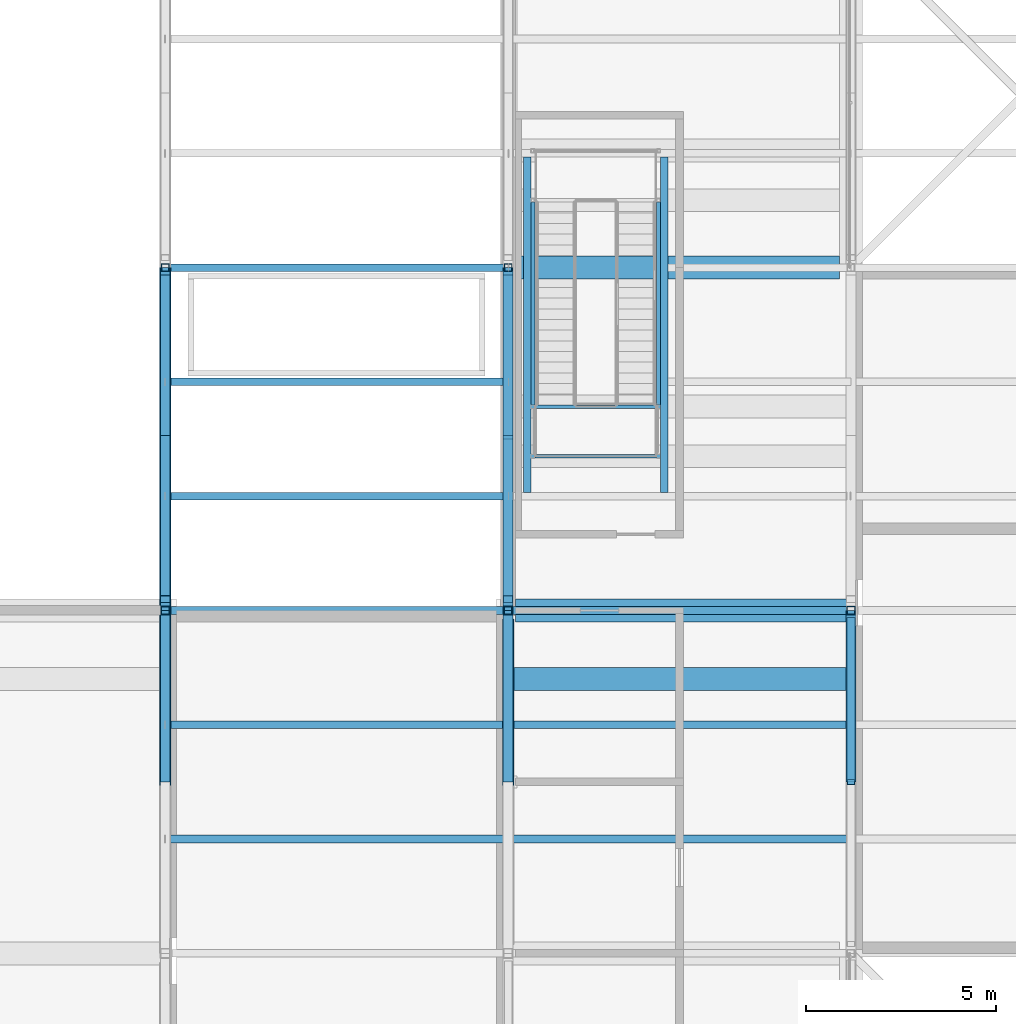
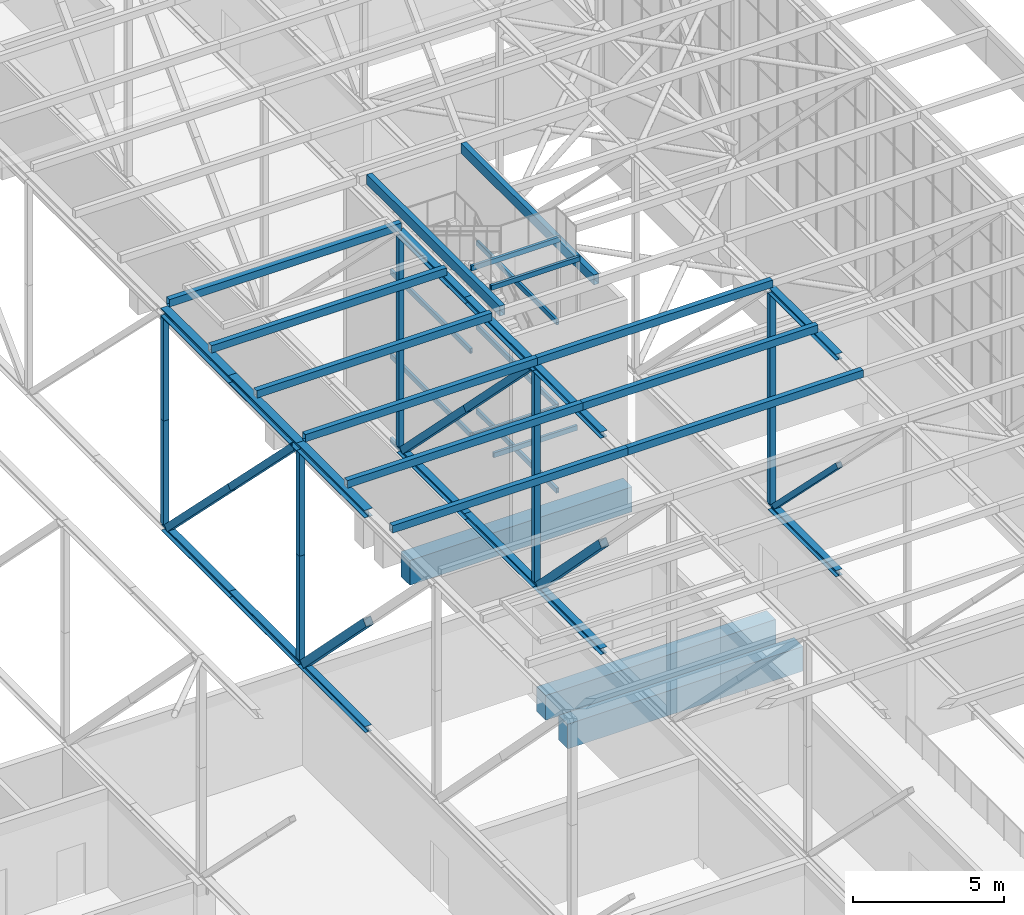
# One storey, part 94 of 646: 42 members, 13 beams.
"""IFC4 building model written with IfcOpenShell, lengths in metres."""

from ifc_helpers import new_model, si_unit, direction, frame, origin, origin_2d, place, context, subcontext, project, spatial, rectangle, hollow_rectangle, i_section, extrude, material, material_profile, profile_set, type_object, element, save


model = new_model("IFC4")

# Units and contexts
model_context = context("Model", 3, precision=1e-05, world=origin(), true_north=direction((0.0, 1.0)))
body_context = subcontext(model_context, "Body", "Model", "MODEL_VIEW")
ifc_project = project(units=[si_unit("LENGTHUNIT", "METRE"), si_unit("AREAUNIT", "SQUARE_METRE"), si_unit("VOLUMEUNIT", "CUBIC_METRE"), si_unit("PLANEANGLEUNIT", "RADIAN"), si_unit("MASSUNIT", "GRAM", prefix="KILO")], contexts=[model_context])

# Site, building, storey
site_placement = place(None, origin())
site = spatial("IfcSite", under=ifc_project, at=site_placement, CompositionType="ELEMENT")
building_placement = place(site_placement, origin())
building = spatial("IfcBuilding", under=site, at=building_placement, Name="Silverbay Arena", CompositionType="ELEMENT")
storey_placement = place(building_placement, frame((0.0, 0.0, 33.5)))
storey = spatial("IfcBuildingStorey", under=building, at=storey_placement, Name="L05", CompositionType="ELEMENT", Elevation=33.5)

# Members
ifc_material_1 = material(Name="Steel S355", Category="steel")
ifc_material_profile_1 = material_profile(ifc_material_1, i_section(OverallWidth=0.2587890625, OverallDepth=0.2666015625, WebThickness=0.0126953125, FlangeThickness=0.0205078125, at=origin_2d()), Name="UC 254x254x107")
ifc_profile_set_1 = profile_set([ifc_material_profile_1], Name="Steel S355")
member_type_1 = type_object("IfcMemberType", Name="Long-span bottom chord UC 254x254x107", PredefinedType="CHORD", material=ifc_profile_set_1)
for number, where, z_axis, x_axis, name in (
    (1, (180.0, 63.0, 4.13330078125), (0.0, 1.0, 0.0), (-1.0, 0.0, 0.0), "ROOF TRUSS 21 bottom chord 07a"),
    (2, (180.0, 67.5, 4.13330078125), (0.0, 1.0, 0.0), (-1.0, 0.0, 0.0), "ROOF TRUSS 21 bottom chord 07b"),
):
    element("IfcMember", number, at=place(storey_placement, frame(where, z_axis=z_axis, x_axis=x_axis)), inside=storey, type_object=member_type_1, Name=name, PredefinedType="CHORD", context=body_context, shape_type="SweptSolid", body=[
        extrude(i_section(OverallWidth=0.2587890625, OverallDepth=0.2666015625, WebThickness=0.0126953125, FlangeThickness=0.0205078125, at=origin_2d()), origin(), (0.0, 0.0, 1.0), 4.5),
    ])
ifc_material_2 = material(Name="Steel S355", Category="steel")
ifc_material_profile_2 = material_profile(ifc_material_2, i_section(OverallWidth=0.254638671875, OverallDepth=0.254150390625, WebThickness=0.008544921875, FlangeThickness=0.01416015625, at=origin_2d()), Name="UC 254x254x73")
ifc_profile_set_2 = profile_set([ifc_material_profile_2], Name="Steel S355")
member_type_2 = type_object("IfcMemberType", Name="Long-span bottom chord UC 254x254x73", PredefinedType="CHORD", material=ifc_profile_set_2)
member_1_placement = place(storey_placement, frame((180.0, 58.5, 4.126953125), z_axis=(0.0, 1.0, 0.0), x_axis=(-1.0, 0.0, 0.0)))
element("IfcMember", 3, at=member_1_placement, inside=storey, type_object=member_type_2, Name="ROOF TRUSS 21 bottom chord 06b", PredefinedType="CHORD", context=body_context, shape_type="SweptSolid", body=[
    extrude(i_section(OverallWidth=0.254638671875, OverallDepth=0.254150390625, WebThickness=0.008544921875, FlangeThickness=0.01416015625, at=origin_2d()), origin(), (0.0, 0.0, 1.0), 4.5),
])
ifc_material_3 = material(Name="Steel S355", Category="steel")
ifc_material_profile_3 = material_profile(ifc_material_3, i_section(OverallWidth=0.307373046875, OverallDepth=0.314453125, WebThickness=0.011962890625, FlangeThickness=0.018798828125, at=origin_2d()), Name="UC 305x305x118")
ifc_profile_set_3 = profile_set([ifc_material_profile_3], Name="Steel S355")
member_type_3 = type_object("IfcMemberType", Name="Long-span top chord UC 305x305x118", PredefinedType="CHORD", material=ifc_profile_set_3)
member_2_placement = place(storey_placement, frame((180.0, 58.5, 12.8427734375), z_axis=(0.0, 1.0, 0.0), x_axis=(-1.0, 0.0, 0.0)))
element("IfcMember", 4, at=member_2_placement, inside=storey, type_object=member_type_3, Name="ROOF TRUSS 21 top chord 06b", PredefinedType="CHORD", context=body_context, shape_type="SweptSolid", body=[
    extrude(i_section(OverallWidth=0.307373046875, OverallDepth=0.314453125, WebThickness=0.011962890625, FlangeThickness=0.018798828125, at=origin_2d()), origin(), (0.0, 0.0, 1.0), 4.5),
])
ifc_material_4 = material(Name="Steel S355", Category="steel")
ifc_material_profile_4 = material_profile(ifc_material_4, i_section(OverallWidth=0.311279296875, OverallDepth=0.3271484375, WebThickness=0.015869140625, FlangeThickness=0.02490234375, at=origin_2d()), Name="UC 305x305x158")
ifc_profile_set_4 = profile_set([ifc_material_profile_4], Name="Steel S355")
member_type_4 = type_object("IfcMemberType", Name="Long-span top chord UC 305x305x158", PredefinedType="CHORD", material=ifc_profile_set_4)
for number, where, z_axis, x_axis, name in (
    (5, (180.0, 63.0, 12.83642578125), (0.0, 1.0, 0.0), (-1.0, 0.0, 0.0), "ROOF TRUSS 21 top chord 07a"),
    (6, (180.0, 67.5, 12.83642578125), (0.0, 1.0, 0.0), (-1.0, 0.0, 0.0), "ROOF TRUSS 21 top chord 07b"),
):
    element("IfcMember", number, at=place(storey_placement, frame(where, z_axis=z_axis, x_axis=x_axis)), inside=storey, type_object=member_type_4, Name=name, PredefinedType="CHORD", context=body_context, shape_type="SweptSolid", body=[
        extrude(i_section(OverallWidth=0.311279296875, OverallDepth=0.3271484375, WebThickness=0.015869140625, FlangeThickness=0.02490234375, at=origin_2d()), origin(), (0.0, 0.0, 1.0), 4.5),
    ])
ifc_material_5 = material(Name="Steel S355", Category="steel")
ifc_material_profile_5 = material_profile(ifc_material_5, hollow_rectangle(XDim=0.260009765625, YDim=0.260009765625, WallThickness=0.010009765625, at=origin_2d()), Name="SHS 260x260x10")
ifc_profile_set_5 = profile_set([ifc_material_profile_5], Name="Steel S355")
member_type_5 = type_object("IfcMemberType", Name="Long-span truss diagonal SHS 260x260x10", PredefinedType="BRACE", material=ifc_profile_set_5)
for number, where, z_axis, x_axis, name in (
    (7, (180.0, 63.300537109375, 12.6728515625), (0.0, 0.707209440454, -0.707004107012), (-1.0, 0.0, 0.0), "ROOF TRUSS 21 diagonal 07a"),
    (8, (180.0, 67.5048828125, 8.4697265625), (0.0, 0.707229966942, -0.706983573967), (-1.0, 0.0, 0.0), "ROOF TRUSS 21 diagonal 07b"),
):
    element("IfcMember", number, at=place(storey_placement, frame(where, z_axis=z_axis, x_axis=x_axis)), inside=storey, type_object=member_type_5, Name=name, PredefinedType="BRACE", context=body_context, shape_type="SweptSolid", body=[
        extrude(hollow_rectangle(XDim=0.260009765625, YDim=0.260009765625, WallThickness=0.010009765625, at=origin_2d()), origin(), (0.0, 0.0, 1.0), 5.945068359375),
    ])
ifc_material_6 = material(Name="Steel S355", Category="steel")
ifc_material_profile_6 = material_profile(ifc_material_6, hollow_rectangle(XDim=0.300048828125, YDim=0.300048828125, WallThickness=0.012451171875, at=origin_2d()), Name="SHS 300x300x12.5")
ifc_profile_set_6 = profile_set([ifc_material_profile_6], Name="Steel S355")
member_type_6 = type_object("IfcMemberType", Name="Long-span truss diagonal SHS 300x300x12.5", PredefinedType="BRACE", material=ifc_profile_set_6)
member_3_placement = place(storey_placement, frame((180.0, 58.507568359375, 8.4697265625), z_axis=(0.0, 0.702663144444, -0.711522666849), x_axis=(-1.0, 0.0, 0.0)))
element("IfcMember", 9, at=member_3_placement, inside=storey, type_object=member_type_6, Name="ROOF TRUSS 21 diagonal 06b", PredefinedType="BRACE", context=body_context, shape_type="SweptSolid", body=[
    extrude(hollow_rectangle(XDim=0.300048828125, YDim=0.300048828125, WallThickness=0.012451171875, at=origin_2d()), origin(), (0.0, 0.0, 1.0), 5.9248046875),
])
ifc_material_7 = material(Name="Steel S355", Category="steel")
ifc_material_profile_7 = material_profile(ifc_material_7, hollow_rectangle(XDim=0.199951171875, YDim=0.199951171875, WallThickness=0.008056640625, at=origin_2d()), Name="SHS 200x200x8")
ifc_profile_set_7 = profile_set([ifc_material_profile_7], Name="Steel S355")
member_type_7 = type_object("IfcMemberType", Name="Long-span truss vertical SHS 200x200x8", PredefinedType="STRUT", material=ifc_profile_set_7)
for number, where, z_axis, x_axis, name in (
    (10, (180.0, 72.0, 4.2666015625), (0.0, 0.0, 1.0), (1.0, 0.0, 0.0), "ROOF TRUSS 21 vertical 08a"),
    (11, (180.0, 72.0, 8.4697265625), (0.0, 0.0, 1.0), (1.0, 0.0, 0.0), "ROOF TRUSS 21 vertical 08b"),
):
    element("IfcMember", number, at=place(storey_placement, frame(where, z_axis=z_axis, x_axis=x_axis)), inside=storey, type_object=member_type_7, Name=name, PredefinedType="STRUT", context=body_context, shape_type="SweptSolid", body=[
        extrude(hollow_rectangle(XDim=0.199951171875, YDim=0.199951171875, WallThickness=0.008056640625, at=origin_2d()), origin(), (0.0, 0.0, 1.0), 4.203125),
    ])
ifc_material_8 = material(Name="Steel S355", Category="steel")
ifc_material_profile_8 = material_profile(ifc_material_8, hollow_rectangle(XDim=0.219970703125, YDim=0.219970703125, WallThickness=0.008056640625, at=origin_2d()), Name="SHS 220x220x8")
ifc_profile_set_8 = profile_set([ifc_material_profile_8], Name="Steel S355")
member_type_8 = type_object("IfcMemberType", Name="Long-span truss vertical SHS 220x220x8", PredefinedType="STRUT", material=ifc_profile_set_8)
for number, where, z_axis, x_axis, name in (
    (12, (180.0, 63.0, 4.2666015625), (0.0, 0.0, 1.0), (1.0, 0.0, 0.0), "ROOF TRUSS 21 vertical 07a"),
    (13, (180.0, 63.0, 8.4697265625), (0.0, 0.0, 1.0), (1.0, 0.0, 0.0), "ROOF TRUSS 21 vertical 07b"),
):
    element("IfcMember", number, at=place(storey_placement, frame(where, z_axis=z_axis, x_axis=x_axis)), inside=storey, type_object=member_type_8, Name=name, PredefinedType="STRUT", context=body_context, shape_type="SweptSolid", body=[
        extrude(hollow_rectangle(XDim=0.219970703125, YDim=0.219970703125, WallThickness=0.008056640625, at=origin_2d()), origin(), (0.0, 0.0, 1.0), 4.203125),
    ])
ifc_material_9 = material(Name="Steel S355", Category="steel")
ifc_material_profile_9 = material_profile(ifc_material_9, i_section(OverallWidth=0.254638671875, OverallDepth=0.254150390625, WebThickness=0.008544921875, FlangeThickness=0.01416015625, at=origin_2d()), Name="UC 254x254x73")
ifc_profile_set_9 = profile_set([ifc_material_profile_9], Name="Steel S355")
member_type_9 = type_object("IfcMemberType", Name="Medium-span bottom chord UC 254x254x73", PredefinedType="CHORD", material=ifc_profile_set_9)
for number, where, z_axis, x_axis, name in (
    (14, (189.0, 58.5, 4.126953125), (0.0, 1.0, 0.0), (-1.0, 0.0, 0.0), "ROOF TRUSS 22 bottom chord 06b"),
    (15, (189.0, 63.0, 4.126953125), (0.0, 1.0, 0.0), (-1.0, 0.0, 0.0), "ROOF TRUSS 22 bottom chord 07a"),
    (16, (189.0, 67.5, 4.126953125), (0.0, 1.0, 0.0), (-1.0, 0.0, 0.0), "ROOF TRUSS 22 bottom chord 07b"),
):
    element("IfcMember", number, at=place(storey_placement, frame(where, z_axis=z_axis, x_axis=x_axis)), inside=storey, type_object=member_type_9, Name=name, PredefinedType="CHORD", context=body_context, shape_type="SweptSolid", body=[
        extrude(i_section(OverallWidth=0.254638671875, OverallDepth=0.254150390625, WebThickness=0.008544921875, FlangeThickness=0.01416015625, at=origin_2d()), origin(), (0.0, 0.0, 1.0), 4.5),
    ])
ifc_material_10 = material(Name="Steel S355", Category="steel")
ifc_material_profile_10 = material_profile(ifc_material_10, i_section(OverallWidth=0.2587890625, OverallDepth=0.2666015625, WebThickness=0.0126953125, FlangeThickness=0.0205078125, at=origin_2d()), Name="UC 254x254x107")
ifc_profile_set_10 = profile_set([ifc_material_profile_10], Name="Steel S355")
member_type_10 = type_object("IfcMemberType", Name="Medium-span top chord UC 254x254x107", PredefinedType="CHORD", material=ifc_profile_set_10)
for number, where, z_axis, x_axis, name in (
    (17, (189.0, 63.0, 12.86669921875), (0.0, 1.0, 0.0), (-1.0, 0.0, 0.0), "ROOF TRUSS 22 top chord 07a"),
    (18, (189.0, 67.5, 12.86669921875), (0.0, 1.0, 0.0), (-1.0, 0.0, 0.0), "ROOF TRUSS 22 top chord 07b"),
):
    element("IfcMember", number, at=place(storey_placement, frame(where, z_axis=z_axis, x_axis=x_axis)), inside=storey, type_object=member_type_10, Name=name, PredefinedType="CHORD", context=body_context, shape_type="SweptSolid", body=[
        extrude(i_section(OverallWidth=0.2587890625, OverallDepth=0.2666015625, WebThickness=0.0126953125, FlangeThickness=0.0205078125, at=origin_2d()), origin(), (0.0, 0.0, 1.0), 4.5),
    ])
ifc_material_11 = material(Name="Steel S355", Category="steel")
ifc_material_profile_11 = material_profile(ifc_material_11, i_section(OverallWidth=0.254638671875, OverallDepth=0.254150390625, WebThickness=0.008544921875, FlangeThickness=0.01416015625, at=origin_2d()), Name="UC 254x254x73")
ifc_profile_set_11 = profile_set([ifc_material_profile_11], Name="Steel S355")
member_type_11 = type_object("IfcMemberType", Name="Medium-span top chord UC 254x254x73", PredefinedType="CHORD", material=ifc_profile_set_11)
member_4_placement = place(storey_placement, frame((189.0, 58.5, 12.873046875), z_axis=(0.0, 1.0, 0.0), x_axis=(-1.0, 0.0, 0.0)))
element("IfcMember", 19, at=member_4_placement, inside=storey, type_object=member_type_11, Name="ROOF TRUSS 22 top chord 06b", PredefinedType="CHORD", context=body_context, shape_type="SweptSolid", body=[
    extrude(i_section(OverallWidth=0.254638671875, OverallDepth=0.254150390625, WebThickness=0.008544921875, FlangeThickness=0.01416015625, at=origin_2d()), origin(), (0.0, 0.0, 1.0), 4.5),
])
ifc_material_12 = material(Name="Steel S355", Category="steel")
ifc_material_profile_12 = material_profile(ifc_material_12, hollow_rectangle(XDim=0.260009765625, YDim=0.260009765625, WallThickness=0.010009765625, at=origin_2d()), Name="SHS 260x260x10")
ifc_profile_set_12 = profile_set([ifc_material_profile_12], Name="Steel S355")
member_type_12 = type_object("IfcMemberType", Name="Medium-span truss diagonal SHS 260x260x10", PredefinedType="BRACE", material=ifc_profile_set_12)
for number, where, z_axis, x_axis, name in (
    (20, (189.0, 63.299560546875, 12.7333984375), (0.0, 0.704218618707, -0.709983194918), (-1.0, 0.0, 0.0), "ROOF TRUSS 22 diagonal 07a"),
    (21, (189.0, 67.5048828125, 8.49365234375), (0.0, 0.704259667026, -0.709942477529), (-1.0, 0.0, 0.0), "ROOF TRUSS 22 diagonal 07b"),
):
    element("IfcMember", number, at=place(storey_placement, frame(where, z_axis=z_axis, x_axis=x_axis)), inside=storey, type_object=member_type_12, Name=name, PredefinedType="BRACE", context=body_context, shape_type="SweptSolid", body=[
        extrude(hollow_rectangle(XDim=0.260009765625, YDim=0.260009765625, WallThickness=0.010009765625, at=origin_2d()), origin(), (0.0, 0.0, 1.0), 5.9716796875),
    ])
ifc_material_13 = material(Name="Steel S355", Category="steel")
ifc_material_profile_13 = material_profile(ifc_material_13, hollow_rectangle(XDim=0.300048828125, YDim=0.300048828125, WallThickness=0.012451171875, at=origin_2d()), Name="SHS 300x300x12.5")
ifc_profile_set_13 = profile_set([ifc_material_profile_13], Name="Steel S355")
member_type_13 = type_object("IfcMemberType", Name="Medium-span truss diagonal SHS 300x300x12.5", PredefinedType="BRACE", material=ifc_profile_set_13)
member_5_placement = place(storey_placement, frame((189.0, 58.507568359375, 8.5), z_axis=(0.0, 0.700176070598, -0.713970216579), x_axis=(-1.0, 0.0, 0.0)))
element("IfcMember", 22, at=member_5_placement, inside=storey, type_object=member_type_13, Name="ROOF TRUSS 22 diagonal 06b", PredefinedType="BRACE", context=body_context, shape_type="SweptSolid", body=[
    extrude(hollow_rectangle(XDim=0.300048828125, YDim=0.300048828125, WallThickness=0.012451171875, at=origin_2d()), origin(), (0.0, 0.0, 1.0), 5.94677734375),
])
ifc_material_14 = material(Name="Steel S355", Category="steel")
ifc_material_profile_14 = material_profile(ifc_material_14, hollow_rectangle(XDim=0.199951171875, YDim=0.199951171875, WallThickness=0.008056640625, at=origin_2d()), Name="SHS 200x200x8")
ifc_profile_set_14 = profile_set([ifc_material_profile_14], Name="Steel S355")
member_type_14 = type_object("IfcMemberType", Name="Medium-span truss vertical SHS 200x200x8", PredefinedType="STRUT", material=ifc_profile_set_14)
member_6_placement = place(storey_placement, frame((189.0, 72.0, 4.254150390625), z_axis=(0.0, 0.0, 1.0), x_axis=(1.0, 0.0, 0.0)))
element("IfcMember", 23, at=member_6_placement, inside=storey, type_object=member_type_14, Name="ROOF TRUSS 22 vertical 08a", PredefinedType="STRUT", context=body_context, shape_type="SweptSolid", body=[
    extrude(hollow_rectangle(XDim=0.199951171875, YDim=0.199951171875, WallThickness=0.008056640625, at=origin_2d()), origin(), (0.0, 0.0, 1.0), 4.239501953125),
])
member_7_placement = place(storey_placement, frame((189.0, 72.0, 8.49365234375), z_axis=(0.0, 0.0, 1.0), x_axis=(1.0, 0.0, 0.0)))
element("IfcMember", 24, at=member_7_placement, inside=storey, type_object=member_type_14, Name="ROOF TRUSS 22 vertical 08b", PredefinedType="STRUT", context=body_context, shape_type="SweptSolid", body=[
    extrude(hollow_rectangle(XDim=0.199951171875, YDim=0.199951171875, WallThickness=0.008056640625, at=origin_2d()), origin(), (0.0, 0.0, 1.0), 4.23974609375),
])
ifc_material_15 = material(Name="Steel S355", Category="steel")
ifc_material_profile_15 = material_profile(ifc_material_15, hollow_rectangle(XDim=0.219970703125, YDim=0.219970703125, WallThickness=0.008056640625, at=origin_2d()), Name="SHS 220x220x8")
ifc_profile_set_15 = profile_set([ifc_material_profile_15], Name="Steel S355")
member_type_15 = type_object("IfcMemberType", Name="Medium-span truss vertical SHS 220x220x8", PredefinedType="STRUT", material=ifc_profile_set_15)
member_8_placement = place(storey_placement, frame((189.0, 63.0, 4.254150390625), z_axis=(0.0, 0.0, 1.0), x_axis=(1.0, 0.0, 0.0)))
element("IfcMember", 25, at=member_8_placement, inside=storey, type_object=member_type_15, Name="ROOF TRUSS 22 vertical 07a", PredefinedType="STRUT", context=body_context, shape_type="SweptSolid", body=[
    extrude(hollow_rectangle(XDim=0.219970703125, YDim=0.219970703125, WallThickness=0.008056640625, at=origin_2d()), origin(), (0.0, 0.0, 1.0), 4.239501953125),
])
member_9_placement = place(storey_placement, frame((189.0, 63.0, 8.49365234375), z_axis=(0.0, 0.0, 1.0), x_axis=(1.0, 0.0, 0.0)))
element("IfcMember", 26, at=member_9_placement, inside=storey, type_object=member_type_15, Name="ROOF TRUSS 22 vertical 07b", PredefinedType="STRUT", context=body_context, shape_type="SweptSolid", body=[
    extrude(hollow_rectangle(XDim=0.219970703125, YDim=0.219970703125, WallThickness=0.008056640625, at=origin_2d()), origin(), (0.0, 0.0, 1.0), 4.23974609375),
])
ifc_material_16 = material(Name="Steel S355", Category="steel")
ifc_material_profile_16 = material_profile(ifc_material_16, hollow_rectangle(XDim=0.199951171875, YDim=0.300048828125, WallThickness=0.00634765625, at=origin_2d()), Name="RHS 300x200x6.3")
ifc_profile_set_16 = profile_set([ifc_material_profile_16], Name="Steel S355")
member_type_16 = type_object("IfcMemberType", Name="Purlin RHS 300x200x6.3", PredefinedType="PURLIN", material=ifc_profile_set_16)
for number, where, z_axis, x_axis, name in (
    (27, (180.0, 57.0, 13.14990234375), (1.0, 0.0, 0.0), (0.0, 1.0, 0.0), "ROOF PURLIN 21-22 line 17"),
    (28, (180.0, 60.0, 13.14990234375), (1.0, 0.0, 0.0), (0.0, 1.0, 0.0), "ROOF PURLIN 21-22 line 18"),
):
    element("IfcMember", number, at=place(storey_placement, frame(where, z_axis=z_axis, x_axis=x_axis)), inside=storey, type_object=member_type_16, Name=name, PredefinedType="PURLIN", context=body_context, shape_type="SweptSolid", body=[
        extrude(hollow_rectangle(XDim=0.199951171875, YDim=0.300048828125, WallThickness=0.00634765625, at=origin_2d()), origin(), (0.0, 0.0, 1.0), 9.0),
    ])
member_10_placement = place(storey_placement, frame((180.125, 63.0, 13.14990234375), z_axis=(1.0, 0.0, 0.0), x_axis=(0.0, 1.0, 0.0)))
element("IfcMember", 29, at=member_10_placement, inside=storey, type_object=member_type_16, Name="ROOF PURLIN 21-22 line 19", PredefinedType="PURLIN", context=body_context, shape_type="SweptSolid", body=[
    extrude(hollow_rectangle(XDim=0.199951171875, YDim=0.300048828125, WallThickness=0.00634765625, at=origin_2d()), origin(), (0.0, 0.0, 1.0), 8.875),
])
for number, where, z_axis, x_axis, name in (
    (30, (180.0, 66.0, 13.14990234375), (1.0, 0.0, 0.0), (0.0, 1.0, 0.0), "ROOF PURLIN 21-22 line 20"),
    (31, (180.0, 69.0, 13.14990234375), (1.0, 0.0, 0.0), (0.0, 1.0, 0.0), "ROOF PURLIN 21-22 line 21"),
):
    element("IfcMember", number, at=place(storey_placement, frame(where, z_axis=z_axis, x_axis=x_axis)), inside=storey, type_object=member_type_16, Name=name, PredefinedType="PURLIN", context=body_context, shape_type="SweptSolid", body=[
        extrude(hollow_rectangle(XDim=0.199951171875, YDim=0.300048828125, WallThickness=0.00634765625, at=origin_2d()), origin(), (0.0, 0.0, 1.0), 9.0),
    ])
member_11_placement = place(storey_placement, frame((180.125, 72.0, 13.14990234375), z_axis=(1.0, 0.0, 0.0), x_axis=(0.0, 1.0, 0.0)))
element("IfcMember", 32, at=member_11_placement, inside=storey, type_object=member_type_16, Name="ROOF PURLIN 21-22 line 22", PredefinedType="PURLIN", context=body_context, shape_type="SweptSolid", body=[
    extrude(hollow_rectangle(XDim=0.199951171875, YDim=0.300048828125, WallThickness=0.00634765625, at=origin_2d()), origin(), (0.0, 0.0, 1.0), 8.875),
])
for number, where, z_axis, x_axis, name in (
    (33, (189.0, 57.0, 13.14990234375), (1.0, 0.0, 0.0), (0.0, 1.0, 0.0), "ROOF PURLIN 22-23 line 17"),
    (34, (189.0, 60.0, 13.14990234375), (1.0, 0.0, 0.0), (0.0, 1.0, 0.0), "ROOF PURLIN 22-23 line 18"),
    (35, (189.0, 63.0, 13.14990234375), (1.0, 0.0, 0.0), (0.0, 1.0, 0.0), "ROOF PURLIN 22-23 line 19"),
):
    element("IfcMember", number, at=place(storey_placement, frame(where, z_axis=z_axis, x_axis=x_axis)), inside=storey, type_object=member_type_16, Name=name, PredefinedType="PURLIN", context=body_context, shape_type="SweptSolid", body=[
        extrude(hollow_rectangle(XDim=0.199951171875, YDim=0.300048828125, WallThickness=0.00634765625, at=origin_2d()), origin(), (0.0, 0.0, 1.0), 9.0),
    ])
ifc_material_17 = material(Name="Steel S355", Category="steel")
ifc_material_profile_17 = material_profile(ifc_material_17, hollow_rectangle(XDim=0.199951171875, YDim=0.39990234375, WallThickness=0.008056640625, at=origin_2d()), Name="RHS 400x200x8")
ifc_profile_set_17 = profile_set([ifc_material_profile_17], Name="Steel S355")
member_type_17 = type_object("IfcMemberType", Name="Purlin RHS 400x200x8", PredefinedType="PURLIN", material=ifc_profile_set_17)
for number, where, z_axis, x_axis, name in (
    (36, (189.5, 66.10009765625, 13.10009765625), (0.0, 1.0, 0.0), (-1.0, 0.0, 0.0), "ROOF PURLIN trimmer west of opening RA2"),
    (37, (193.10009765625, 66.10009765625, 13.10009765625), (0.0, 1.0, 0.0), (-1.0, 0.0, 0.0), "ROOF PURLIN trimmer east of opening RA2"),
):
    element("IfcMember", number, at=place(storey_placement, frame(where, z_axis=z_axis, x_axis=x_axis)), inside=storey, type_object=member_type_17, Name=name, PredefinedType="PURLIN", context=body_context, shape_type="SweptSolid", body=[
        extrude(hollow_rectangle(XDim=0.199951171875, YDim=0.39990234375, WallThickness=0.008056640625, at=origin_2d()), origin(), (0.0, 0.0, 1.0), 8.7998046875),
    ])

# Beams
ifc_material_18 = material(Name="Concrete Grade C45", Category="concrete")
ifc_material_profile_18 = material_profile(ifc_material_18, rectangle(XDim=0.60009765625, YDim=1.0, at=origin_2d()), Name="RC 600x1000")
ifc_profile_set_18 = profile_set([ifc_material_profile_18], Name="Concrete Grade C45")
beam_type_1 = type_object("IfcBeamType", Name="RC beam 600x1000", PredefinedType="BEAM", material=ifc_profile_set_18)
beam_1_placement = place(storey_placement, frame((189.0, 61.199951171875, -0.800048828125), z_axis=(1.0, 0.0, 0.0), x_axis=(0.0, 1.0, 0.0)))
element("IfcBeam", 38, at=beam_1_placement, inside=storey, type_object=beam_type_1, Name="Floor beam L05 028", PredefinedType="BEAM", context=body_context, shape_type="SweptSolid", body=[
    extrude(rectangle(XDim=0.60009765625, YDim=1.0, at=origin_2d()), origin(), (0.0, 0.0, 1.0), 9.0),
])
beam_2_placement = place(storey_placement, frame((189.199951171875, 63.0, -0.800048828125), z_axis=(1.0, 0.0, 0.0), x_axis=(0.0, 1.0, 0.0)))
element("IfcBeam", 39, at=beam_2_placement, inside=storey, type_object=beam_type_1, Name="Floor beam L05 032", PredefinedType="BEAM", context=body_context, shape_type="SweptSolid", body=[
    extrude(rectangle(XDim=0.60009765625, YDim=1.0, at=origin_2d()), origin(), (0.0, 0.0, 1.0), 8.800048828125),
])
beam_3_placement = place(storey_placement, frame((189.199951171875, 72.0, -0.800048828125), z_axis=(1.0, 0.0, 0.0), x_axis=(0.0, 1.0, 0.0)))
element("IfcBeam", 40, at=beam_3_placement, inside=storey, type_object=beam_type_1, Name="Floor beam L05 034", PredefinedType="BEAM", context=body_context, shape_type="SweptSolid", body=[
    extrude(rectangle(XDim=0.60009765625, YDim=1.0, at=origin_2d()), origin(), (0.0, 0.0, 1.0), 8.5),
])
ifc_material_19 = material(Name="Steel S355", Category="steel")
ifc_material_profile_19 = material_profile(ifc_material_19, hollow_rectangle(XDim=0.10009765625, YDim=0.199951171875, WallThickness=0.008056640625, at=origin_2d()), Name="RHS 200x100x8")
ifc_profile_set_19 = profile_set([ifc_material_profile_19], Name="Steel S355")
beam_type_2 = type_object("IfcBeamType", Name="Roof access landing beam RHS 200x100x8", PredefinedType="BEAM", material=ifc_profile_set_19)
for number, where, z_axis, x_axis, name in (
    (41, (192.89990234375, 67.050048828125, 6.6201171875), (-1.0, 0.0, 0.0), (0.0, -1.0, 0.0), "Stair RA2 L05 to ROOF landing 2 beam a"),
    (42, (192.89990234375, 68.35009765625, 6.6201171875), (-1.0, 0.0, 0.0), (0.0, -1.0, 0.0), "Stair RA2 L05 to ROOF landing 2 beam b"),
):
    element("IfcBeam", number, at=place(storey_placement, frame(where, z_axis=z_axis, x_axis=x_axis)), inside=storey, type_object=beam_type_2, Name=name, PredefinedType="BEAM", context=body_context, shape_type="SweptSolid", body=[
        extrude(hollow_rectangle(XDim=0.10009765625, YDim=0.199951171875, WallThickness=0.008056640625, at=origin_2d()), origin(), (0.0, 0.0, 1.0), 3.199951171875),
    ])
for number, where, z_axis, x_axis, name in (
    (43, (193.0, 67.050048828125, 13.419921875), (-1.0, 0.0, 0.0), (0.0, -1.0, 0.0), "Stair RA2 L05 to ROOF landing 4 beam a"),
    (44, (193.0, 68.35009765625, 13.419921875), (-1.0, 0.0, 0.0), (0.0, -1.0, 0.0), "Stair RA2 L05 to ROOF landing 4 beam b"),
):
    element("IfcBeam", number, at=place(storey_placement, frame(where, z_axis=z_axis, x_axis=x_axis)), inside=storey, type_object=beam_type_2, Name=name, PredefinedType="BEAM", context=body_context, shape_type="SweptSolid", body=[
        extrude(hollow_rectangle(XDim=0.10009765625, YDim=0.199951171875, WallThickness=0.008056640625, at=origin_2d()), origin(), (0.0, 0.0, 1.0), 3.39990234375),
    ])
ifc_material_20 = material(Name="Steel S355", Category="steel")
ifc_material_profile_20 = material_profile(ifc_material_20, hollow_rectangle(XDim=0.10009765625, YDim=0.199951171875, WallThickness=0.008056640625, at=origin_2d()), Name="RHS 200x100x8")
ifc_profile_set_20 = profile_set([ifc_material_profile_20], Name="Steel S355")
beam_type_3 = type_object("IfcBeamType", Name="Roof access side tie RHS 200x100x8", PredefinedType="BEAM", material=ifc_profile_set_20)
for number, where, z_axis, x_axis, name in (
    (45, (192.949951171875, 68.39990234375, 3.219970703125), (0.0, 1.0, 0.0), (-1.0, 0.0, 0.0), "Stair RA2 L05 to ROOF side tie 1W"),
    (46, (189.64990234375, 68.39990234375, 3.219970703125), (0.0, 1.0, 0.0), (-1.0, 0.0, 0.0), "Stair RA2 L05 to ROOF side tie 1E"),
    (47, (192.949951171875, 68.39990234375, 6.6201171875), (0.0, 1.0, 0.0), (-1.0, 0.0, 0.0), "Stair RA2 L05 to ROOF side tie 2W"),
    (48, (189.64990234375, 68.39990234375, 6.6201171875), (0.0, 1.0, 0.0), (-1.0, 0.0, 0.0), "Stair RA2 L05 to ROOF side tie 2E"),
    (49, (192.949951171875, 68.39990234375, 10.02001953125), (0.0, 1.0, 0.0), (-1.0, 0.0, 0.0), "Stair RA2 L05 to ROOF side tie 3W"),
    (50, (189.64990234375, 68.39990234375, 10.02001953125), (0.0, 1.0, 0.0), (-1.0, 0.0, 0.0), "Stair RA2 L05 to ROOF side tie 3E"),
):
    element("IfcBeam", number, at=place(storey_placement, frame(where, z_axis=z_axis, x_axis=x_axis)), inside=storey, type_object=beam_type_3, Name=name, PredefinedType="BEAM", context=body_context, shape_type="SweptSolid", body=[
        extrude(hollow_rectangle(XDim=0.10009765625, YDim=0.199951171875, WallThickness=0.008056640625, at=origin_2d()), origin(), (0.0, 0.0, 1.0), 5.320068359375),
    ])

# Members
ifc_material_21 = material(Name="Steel S355", Category="steel")
ifc_material_profile_21 = material_profile(ifc_material_21, i_section(OverallWidth=0.254638671875, OverallDepth=0.254150390625, WebThickness=0.008544921875, FlangeThickness=0.01416015625, at=origin_2d()), Name="UC 254x254x73")
ifc_profile_set_21 = profile_set([ifc_material_profile_21], Name="Steel S355")
member_type_18 = type_object("IfcMemberType", Name="Short-span bottom chord UC 254x254x73", PredefinedType="CHORD", material=ifc_profile_set_21)
member_12_placement = place(storey_placement, frame((198.0, 58.5, 4.126953125), z_axis=(0.0, 1.0, 0.0), x_axis=(-1.0, 0.0, 0.0)))
element("IfcMember", 51, at=member_12_placement, inside=storey, type_object=member_type_18, Name="ROOF TRUSS 23 bottom chord 06b", PredefinedType="CHORD", context=body_context, shape_type="SweptSolid", body=[
    extrude(i_section(OverallWidth=0.254638671875, OverallDepth=0.254150390625, WebThickness=0.008544921875, FlangeThickness=0.01416015625, at=origin_2d()), origin(), (0.0, 0.0, 1.0), 4.5),
])
ifc_material_22 = material(Name="Steel S355", Category="steel")
ifc_material_profile_22 = material_profile(ifc_material_22, i_section(OverallWidth=0.254638671875, OverallDepth=0.254150390625, WebThickness=0.008544921875, FlangeThickness=0.01416015625, at=origin_2d()), Name="UC 254x254x73")
ifc_profile_set_22 = profile_set([ifc_material_profile_22], Name="Steel S355")
member_type_19 = type_object("IfcMemberType", Name="Short-span top chord UC 254x254x73", PredefinedType="CHORD", material=ifc_profile_set_22)
member_13_placement = place(storey_placement, frame((198.0, 58.5, 12.873046875), z_axis=(0.0, 1.0, 0.0), x_axis=(-1.0, 0.0, 0.0)))
element("IfcMember", 52, at=member_13_placement, inside=storey, type_object=member_type_19, Name="ROOF TRUSS 23 top chord 06b", PredefinedType="CHORD", context=body_context, shape_type="SweptSolid", body=[
    extrude(i_section(OverallWidth=0.254638671875, OverallDepth=0.254150390625, WebThickness=0.008544921875, FlangeThickness=0.01416015625, at=origin_2d()), origin(), (0.0, 0.0, 1.0), 4.5),
])
ifc_material_23 = material(Name="Steel S355", Category="steel")
ifc_material_profile_23 = material_profile(ifc_material_23, hollow_rectangle(XDim=0.199951171875, YDim=0.199951171875, WallThickness=0.008056640625, at=origin_2d()), Name="SHS 200x200x8")
ifc_profile_set_23 = profile_set([ifc_material_profile_23], Name="Steel S355")
member_type_20 = type_object("IfcMemberType", Name="Short-span truss diagonal SHS 200x200x8", PredefinedType="BRACE", material=ifc_profile_set_23)
member_14_placement = place(storey_placement, frame((198.0, 58.4951171875, 8.5), z_axis=(0.0, 0.707391224876, -0.706822223029), x_axis=(-1.0, 0.0, 0.0)))
element("IfcMember", 53, at=member_14_placement, inside=storey, type_object=member_type_20, Name="ROOF TRUSS 23 diagonal 06b", PredefinedType="BRACE", context=body_context, shape_type="SweptSolid", body=[
    extrude(hollow_rectangle(XDim=0.199951171875, YDim=0.199951171875, WallThickness=0.008056640625, at=origin_2d()), origin(), (0.0, 0.0, 1.0), 6.0068359375),
])
ifc_material_24 = material(Name="Steel S355", Category="steel")
ifc_material_profile_24 = material_profile(ifc_material_24, hollow_rectangle(XDim=0.219970703125, YDim=0.219970703125, WallThickness=0.008056640625, at=origin_2d()), Name="SHS 220x220x8")
ifc_profile_set_24 = profile_set([ifc_material_profile_24], Name="Steel S355")
member_type_21 = type_object("IfcMemberType", Name="Short-span truss vertical SHS 220x220x8", PredefinedType="STRUT", material=ifc_profile_set_24)
for number, where, z_axis, x_axis, name in (
    (54, (198.0, 63.0, 4.254150390625), (0.0, 0.0, 1.0), (1.0, 0.0, 0.0), "ROOF TRUSS 23 vertical 07a"),
    (55, (198.0, 63.0, 8.5), (0.0, 0.0, 1.0), (1.0, 0.0, 0.0), "ROOF TRUSS 23 vertical 07b"),
):
    element("IfcMember", number, at=place(storey_placement, frame(where, z_axis=z_axis, x_axis=x_axis)), inside=storey, type_object=member_type_21, Name=name, PredefinedType="STRUT", context=body_context, shape_type="SweptSolid", body=[
        extrude(hollow_rectangle(XDim=0.219970703125, YDim=0.219970703125, WallThickness=0.008056640625, at=origin_2d()), origin(), (0.0, 0.0, 1.0), 4.245849609375),
    ])

save(model, "model.ifc")
